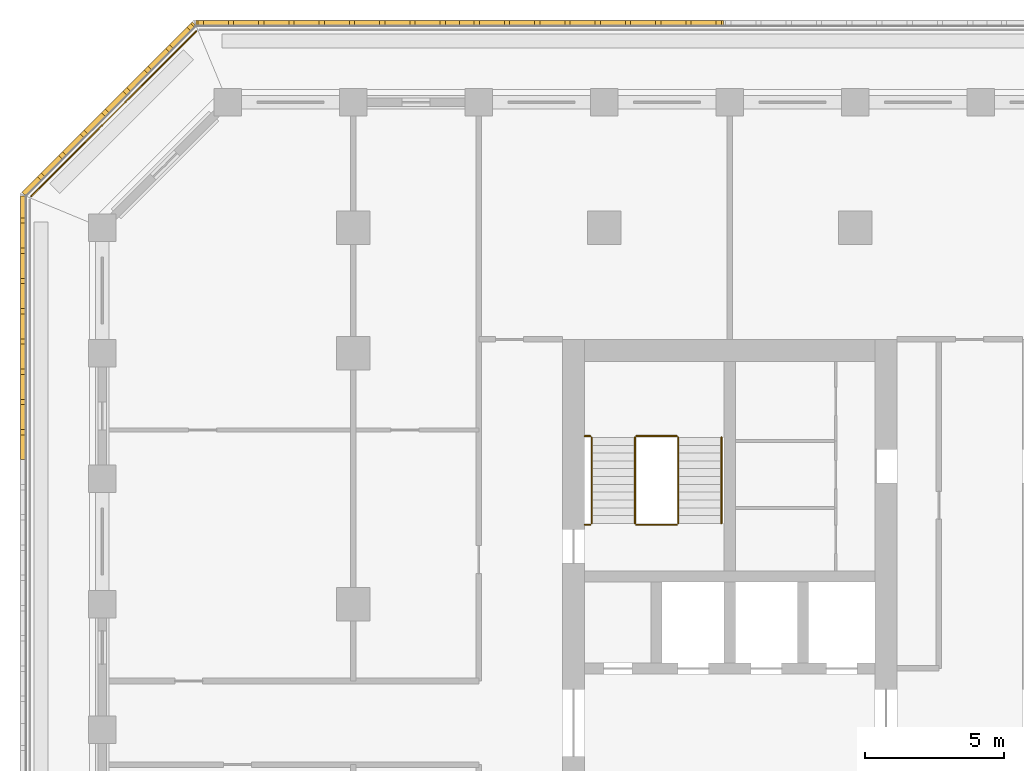
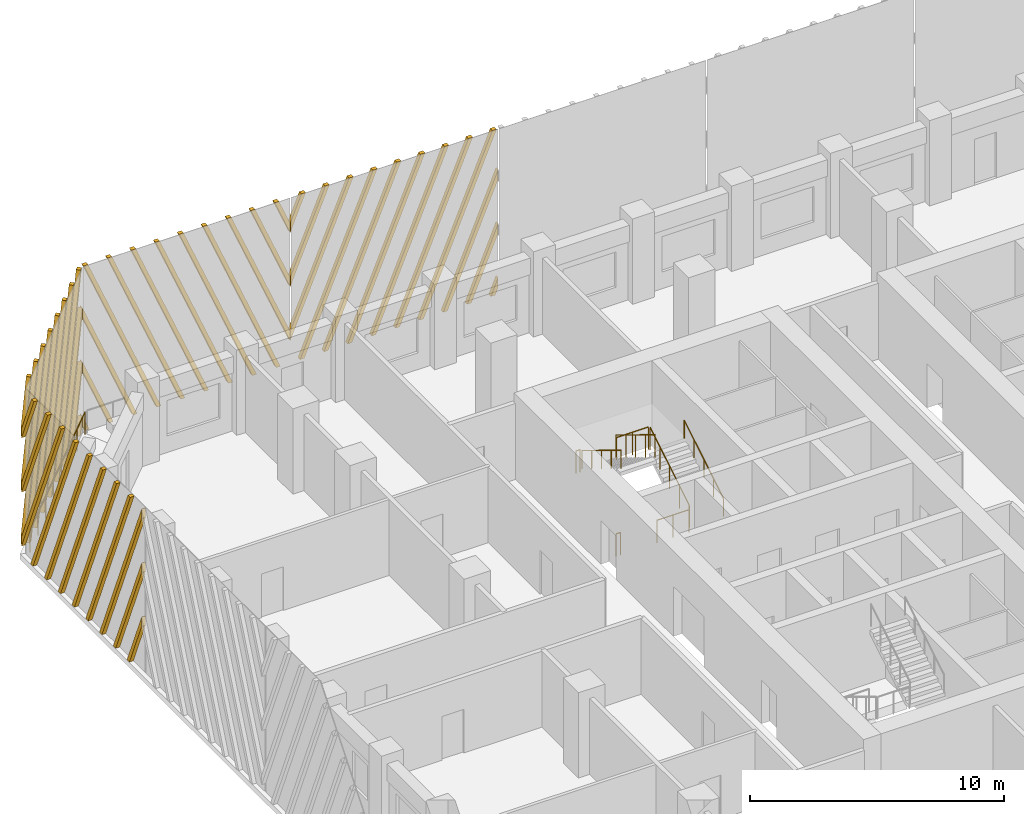
# One storey, part 13 of 16: 9 railings, 4 shading devices.
"""IFC4 building model written with IfcOpenShell, lengths in metres."""

from ifc_helpers import new_model, si_unit, direction, frame, origin, origin_2d, place, context, subcontext, project, spatial, polyline, circle, outline, extrude, source, transform, mapped, material, type_object, element, save


model = new_model("IFC4")

# Units and contexts
model_context = context("Model", 3, precision=1e-05, world=origin(), true_north=direction((0.0, 1.0)))
body_context = subcontext(model_context, "Body", "Model", "MODEL_VIEW")
ifc_project = project(units=[si_unit("LENGTHUNIT", "METRE"), si_unit("AREAUNIT", "SQUARE_METRE"), si_unit("VOLUMEUNIT", "CUBIC_METRE"), si_unit("PLANEANGLEUNIT", "RADIAN"), si_unit("MASSUNIT", "GRAM", prefix="KILO")], contexts=[model_context])

# Site, building, storey
site_placement = place(None, origin())
site = spatial("IfcSite", under=ifc_project, at=site_placement, CompositionType="ELEMENT")
building_placement = place(site_placement, origin())
building = spatial("IfcBuilding", under=site, at=building_placement, Name="Corbel Stack Research Tower", CompositionType="ELEMENT")
storey_placement = place(building_placement, frame((0.0, 0.0, 173.199951171875)))
storey = spatial("IfcBuildingStorey", under=building, at=storey_placement, Name="L39", CompositionType="ELEMENT", Elevation=173.199951171875)

# Railings
ifc_material_1 = material(Name="Steel S355", Category="steel")
railing_type_1 = type_object("IfcRailingType", Name="Stair guard 1100", PredefinedType="GUARDRAIL", material=ifc_material_1)
railing_1_placement = place(storey_placement, frame((-6.35009765625, 11.89990234375, 0.1708984375)))
element("IfcRailing", 1, at=railing_1_placement, inside=storey, type_object=railing_type_1, Name="L39 ST-W2 stair guard 1", PredefinedType="GUARDRAIL", context=body_context, shape_type="SweptSolid", body=[
    extrude(circle(Radius=0.02392578125, at=origin_2d()), frame((0.0, 0.0, 1.076171875), z_axis=(0.0, 0.853666305674, 0.52082035152), x_axis=(-1.0, 0.0, 0.0)), (0.0, 0.0, 1.0), 3.608154296875),
    extrude(circle(Radius=0.02099609375, at=origin_2d()), origin(), (0.0, 0.0, 1.0), 1.052001953125),
    extrude(circle(Radius=0.02099609375, at=origin_2d()), frame((0.0, 0.77001953125, 0.4697265625)), (0.0, 0.0, 1.0), 1.052001953125),
    extrude(circle(Radius=0.02099609375, at=origin_2d()), frame((0.0, 1.5400390625, 0.939453125)), (0.0, 0.0, 1.0), 1.052001953125),
    extrude(circle(Radius=0.02099609375, at=origin_2d()), frame((0.0, 2.31005859375, 1.409423828125)), (0.0, 0.0, 1.0), 1.052001953125),
    extrude(circle(Radius=0.02099609375, at=origin_2d()), frame((0.0, 3.080078125, 1.879150390625)), (0.0, 0.0, 1.0), 1.052001953125),
])
railing_2_placement = place(storey_placement, frame((-6.39990234375, 15.030029296875, 2.050048828125)))
element("IfcRailing", 2, at=railing_2_placement, inside=storey, type_object=railing_type_1, Name="L39 ST-W2 stair guard 2", PredefinedType="GUARDRAIL", context=body_context, shape_type="SweptSolid", body=[
    extrude(circle(Radius=0.02392578125, at=origin_2d()), frame((0.0, 0.0, 1.076171875), z_axis=(-1.0, 0.0, 0.0), x_axis=(0.0, -1.0, 0.0)), (0.0, 0.0, 1.0), 1.4501953125),
    extrude(circle(Radius=0.02099609375, at=origin_2d()), origin(), (0.0, 0.0, 1.0), 1.052001953125),
    extrude(circle(Radius=0.02099609375, at=origin_2d()), frame((-0.72509765625, 0.0, 0.0)), (0.0, 0.0, 1.0), 1.052001953125),
    extrude(circle(Radius=0.02099609375, at=origin_2d()), frame((-1.4501953125, 0.0, 0.0)), (0.0, 0.0, 1.0), 1.052001953125),
])
railing_3_placement = place(storey_placement, frame((-9.5, 15.030029296875, 2.050048828125)))
element("IfcRailing", 3, at=railing_3_placement, inside=storey, type_object=railing_type_1, Name="L39 ST-W2 stair guard 3", PredefinedType="GUARDRAIL", context=body_context, shape_type="SweptSolid", body=[
    extrude(circle(Radius=0.02392578125, at=origin_2d()), frame((0.0, 0.0, 1.076171875), z_axis=(-1.0, 0.0, 0.0), x_axis=(0.0, -1.0, 0.0)), (0.0, 0.0, 1.0), 0.199951171875),
    extrude(circle(Radius=0.02099609375, at=origin_2d()), origin(), (0.0, 0.0, 1.0), 1.052001953125),
    extrude(circle(Radius=0.02099609375, at=origin_2d()), frame((-0.199951171875, 0.0, 0.0)), (0.0, 0.0, 1.0), 1.052001953125),
])
railing_4_placement = place(storey_placement, frame((-7.89990234375, 14.97998046875, 2.220947265625)))
element("IfcRailing", 4, at=railing_4_placement, inside=storey, type_object=railing_type_1, Name="L39 ST-W2 stair guard 4", PredefinedType="GUARDRAIL", context=body_context, shape_type="SweptSolid", body=[
    extrude(circle(Radius=0.02392578125, at=origin_2d()), frame((0.0, 0.0, 1.076171875), z_axis=(0.0, -0.853666305674, 0.52082035152), x_axis=(1.0, 0.0, 0.0)), (0.0, 0.0, 1.0), 3.608154296875),
    extrude(circle(Radius=0.02099609375, at=origin_2d()), origin(), (0.0, 0.0, 1.0), 1.052001953125),
    extrude(circle(Radius=0.02099609375, at=origin_2d()), frame((0.0, -0.77001953125, 0.4697265625)), (0.0, 0.0, 1.0), 1.052001953125),
    extrude(circle(Radius=0.02099609375, at=origin_2d()), frame((0.0, -1.5400390625, 0.939453125)), (0.0, 0.0, 1.0), 1.052001953125),
    extrude(circle(Radius=0.02099609375, at=origin_2d()), frame((0.0, -2.31005859375, 1.409423828125)), (0.0, 0.0, 1.0), 1.052001953125),
    extrude(circle(Radius=0.02099609375, at=origin_2d()), frame((0.0, -3.080078125, 1.879150390625)), (0.0, 0.0, 1.0), 1.052001953125),
])
railing_5_placement = place(storey_placement, frame((-6.39990234375, 11.85009765625, 0.0)))
element("IfcRailing", 5, at=railing_5_placement, inside=storey, type_object=railing_type_1, Name="L39 ST-W2 stair guard 5", PredefinedType="GUARDRAIL", context=body_context, shape_type="SweptSolid", body=[
    extrude(circle(Radius=0.02392578125, at=origin_2d()), frame((0.0, 0.0, 1.076171875), z_axis=(-1.0, 0.0, 0.0), x_axis=(0.0, -1.0, 0.0)), (0.0, 0.0, 1.0), 1.4501953125),
    extrude(circle(Radius=0.02099609375, at=origin_2d()), origin(), (0.0, 0.0, 1.0), 1.052001953125),
    extrude(circle(Radius=0.02099609375, at=origin_2d()), frame((-0.72509765625, 0.0, 0.0)), (0.0, 0.0, 1.0), 1.052001953125),
    extrude(circle(Radius=0.02099609375, at=origin_2d()), frame((-1.4501953125, 0.0, 0.0)), (0.0, 0.0, 1.0), 1.052001953125),
])
railing_6_placement = place(storey_placement, frame((-9.5, 11.85009765625, 0.0)))
element("IfcRailing", 6, at=railing_6_placement, inside=storey, type_object=railing_type_1, Name="L39 ST-W2 stair guard 6", PredefinedType="GUARDRAIL", context=body_context, shape_type="SweptSolid", body=[
    extrude(circle(Radius=0.02392578125, at=origin_2d()), frame((0.0, 0.0, 1.076171875), z_axis=(-1.0, 0.0, 0.0), x_axis=(0.0, -1.0, 0.0)), (0.0, 0.0, 1.0), 0.199951171875),
    extrude(circle(Radius=0.02099609375, at=origin_2d()), origin(), (0.0, 0.0, 1.0), 1.052001953125),
    extrude(circle(Radius=0.02099609375, at=origin_2d()), frame((-0.199951171875, 0.0, 0.0)), (0.0, 0.0, 1.0), 1.052001953125),
])
ifc_material_2 = material(Name="Steel S355", Category="steel")
railing_type_2 = type_object("IfcRailingType", Name="Stair handrail 900", PredefinedType="HANDRAIL", material=ifc_material_2)
railing_7_placement = place(storey_placement, frame((-4.800048828125, 11.89990234375, 0.1708984375)))
element("IfcRailing", 7, at=railing_7_placement, inside=storey, type_object=railing_type_2, Name="L39 ST-W2 stair handrail 1", PredefinedType="HANDRAIL", context=body_context, shape_type="SweptSolid", body=[
    extrude(circle(Radius=0.02392578125, at=origin_2d()), frame((0.0, 0.0, 0.8759765625), z_axis=(0.0, 0.853666305674, 0.52082035152), x_axis=(-1.0, 0.0, 0.0)), (0.0, 0.0, 1.0), 3.608154296875),
    extrude(circle(Radius=0.02099609375, at=origin_2d()), origin(), (0.0, 0.0, 1.0), 0.851806640625),
    extrude(circle(Radius=0.02099609375, at=origin_2d()), frame((0.0, 0.77001953125, 0.4697265625)), (0.0, 0.0, 1.0), 0.851806640625),
    extrude(circle(Radius=0.02099609375, at=origin_2d()), frame((0.0, 1.5400390625, 0.939453125)), (0.0, 0.0, 1.0), 0.851806640625),
    extrude(circle(Radius=0.02099609375, at=origin_2d()), frame((0.0, 2.31005859375, 1.409423828125)), (0.0, 0.0, 1.0), 0.851806640625),
    extrude(circle(Radius=0.02099609375, at=origin_2d()), frame((0.0, 3.080078125, 1.879150390625)), (0.0, 0.0, 1.0), 0.851806640625),
])
railing_8_placement = place(storey_placement, frame((-9.449951171875, 14.97998046875, 2.220947265625)))
element("IfcRailing", 8, at=railing_8_placement, inside=storey, type_object=railing_type_2, Name="L39 ST-W2 stair handrail 2", PredefinedType="HANDRAIL", context=body_context, shape_type="SweptSolid", body=[
    extrude(circle(Radius=0.02392578125, at=origin_2d()), frame((0.0, 0.0, 0.8759765625), z_axis=(0.0, -0.853666305674, 0.52082035152), x_axis=(1.0, 0.0, 0.0)), (0.0, 0.0, 1.0), 3.608154296875),
    extrude(circle(Radius=0.02099609375, at=origin_2d()), origin(), (0.0, 0.0, 1.0), 0.851806640625),
    extrude(circle(Radius=0.02099609375, at=origin_2d()), frame((0.0, -0.77001953125, 0.4697265625)), (0.0, 0.0, 1.0), 0.851806640625),
    extrude(circle(Radius=0.02099609375, at=origin_2d()), frame((0.0, -1.5400390625, 0.939453125)), (0.0, 0.0, 1.0), 0.851806640625),
    extrude(circle(Radius=0.02099609375, at=origin_2d()), frame((0.0, -2.31005859375, 1.409423828125)), (0.0, 0.0, 1.0), 0.851806640625),
    extrude(circle(Radius=0.02099609375, at=origin_2d()), frame((0.0, -3.080078125, 1.879150390625)), (0.0, 0.0, 1.0), 0.851806640625),
])
ifc_material_3 = material(Name="Powder-coated steel guard", Category="steel")
railing_type_3 = type_object("IfcRailingType", Name="Steel and glass guard 1100", PredefinedType="GUARDRAIL", material=ifc_material_3)
railing_9_placement = place(storey_placement, frame((-23.627685546875, 29.54931640625, 0.0)))
element("IfcRailing", 9, at=railing_9_placement, inside=storey, type_object=railing_type_3, Name="Loggia guard L39 NW", PredefinedType="GUARDRAIL", context=body_context, shape_type="SweptSolid", body=[
    extrude(circle(Radius=0.02392578125, at=origin_2d()), frame((0.0, 0.0, 1.076171875), z_axis=(-0.707106781187, -0.707106781187, 0.0), x_axis=(0.707106781187, -0.707106781187, 0.0)), (0.0, 0.0, 1.0), 8.37451171875),
    extrude(circle(Radius=0.02099609375, at=origin_2d()), origin(), (0.0, 0.0, 1.0), 1.052001953125),
    extrude(circle(Radius=0.02099609375, at=origin_2d()), frame((-0.845947265625, -0.845947265625, 0.0)), (0.0, 0.0, 1.0), 1.052001953125),
    extrude(circle(Radius=0.02099609375, at=origin_2d()), frame((-1.69189453125, -1.69189453125, 0.0)), (0.0, 0.0, 1.0), 1.052001953125),
    extrude(circle(Radius=0.02099609375, at=origin_2d()), frame((-2.537841796875, -2.537841796875, 0.0)), (0.0, 0.0, 1.0), 1.052001953125),
    extrude(circle(Radius=0.02099609375, at=origin_2d()), frame((-3.3837890625, -3.3837890625, 0.0)), (0.0, 0.0, 1.0), 1.052001953125),
    extrude(circle(Radius=0.02099609375, at=origin_2d()), frame((-4.229736328125, -4.229736328125, 0.0)), (0.0, 0.0, 1.0), 1.052001953125),
    extrude(circle(Radius=0.02099609375, at=origin_2d()), frame((-5.07568359375, -5.07568359375, 0.0)), (0.0, 0.0, 1.0), 1.052001953125),
    extrude(circle(Radius=0.02099609375, at=origin_2d()), frame((-5.921630859375, -5.921630859375, 0.0)), (0.0, 0.0, 1.0), 1.052001953125),
])

# Shading devices
ifc_material_4 = material(Name="Precast terracotta", Category="masonry")
shading_device_type = type_object("IfcShadingDeviceType", Name="Terracotta screen panel", PredefinedType="USERDEFINED", material=ifc_material_4)
shared_shape_1 = source(origin(), body_context, "Body", "SweptSolid", [
    extrude(outline(polyline([(0.70361328125, 7.949951171875), (0.513427734375, 7.949951171875), (0.0, 6.720458984375), (0.0, 6.265380859375), (0.70361328125, 7.949951171875)])), frame((0.0, 0.0, 0.0), z_axis=(0.0, -1.0, 0.0), x_axis=(1.0, 0.0, 0.0)), (0.0, 0.0, 1.0), 0.179931640625),
    extrude(outline(polyline([(1.7880859375, 7.949951171875), (1.59814453125, 7.949951171875), (0.0, 4.123291015625), (0.0, 3.668212890625), (1.7880859375, 7.949951171875)])), frame((0.0, 0.0, 0.0), z_axis=(0.0, -1.0, 0.0), x_axis=(1.0, 0.0, 0.0)), (0.0, 0.0, 1.0), 0.179931640625),
    extrude(outline(polyline([(2.872802734375, 7.949951171875), (2.682861328125, 7.949951171875), (0.0, 1.526123046875), (0.0, 1.071044921875), (2.872802734375, 7.949951171875)])), frame((0.0, 0.0, 0.0), z_axis=(0.0, -1.0, 0.0), x_axis=(1.0, 0.0, 0.0)), (0.0, 0.0, 1.0), 0.179931640625),
    extrude(outline(polyline([(0.63720703125, 0.0), (3.95751953125, 7.949951171875), (3.767578125, 7.949951171875), (0.447265625, 0.0), (0.63720703125, 0.0)])), frame((0.0, 0.0, 0.0), z_axis=(0.0, -1.0, 0.0), x_axis=(1.0, 0.0, 0.0)), (0.0, 0.0, 1.0), 0.179931640625),
    extrude(outline(polyline([(1.721923828125, 0.0), (5.042236328125, 7.949951171875), (4.852294921875, 7.949951171875), (1.531982421875, 0.0), (1.721923828125, 0.0)])), frame((0.0, 0.0, 0.0), z_axis=(0.0, -1.0, 0.0), x_axis=(1.0, 0.0, 0.0)), (0.0, 0.0, 1.0), 0.179931640625),
    extrude(outline(polyline([(2.806640625, 0.0), (6.126708984375, 7.949951171875), (5.936767578125, 7.949951171875), (2.61669921875, 0.0), (2.806640625, 0.0)])), frame((0.0, 0.0, 0.0), z_axis=(0.0, -1.0, 0.0), x_axis=(1.0, 0.0, 0.0)), (0.0, 0.0, 1.0), 0.179931640625),
    extrude(outline(polyline([(3.891357421875, 0.0), (7.21142578125, 7.949951171875), (7.021484375, 7.949951171875), (3.701416015625, 0.0), (3.891357421875, 0.0)])), frame((0.0, 0.0, 0.0), z_axis=(0.0, -1.0, 0.0), x_axis=(1.0, 0.0, 0.0)), (0.0, 0.0, 1.0), 0.179931640625),
    extrude(outline(polyline([(4.97607421875, 0.0), (8.296142578125, 7.949951171875), (8.106201171875, 7.949951171875), (4.785888671875, 0.0), (4.97607421875, 0.0)])), frame((0.0, 0.0, 0.0), z_axis=(0.0, -1.0, 0.0), x_axis=(1.0, 0.0, 0.0)), (0.0, 0.0, 1.0), 0.179931640625),
    extrude(outline(polyline([(6.060791015625, 0.0), (9.380859375, 7.949951171875), (9.19091796875, 7.949951171875), (5.87060546875, 0.0), (6.060791015625, 0.0)])), frame((0.0, 0.0, 0.0), z_axis=(0.0, -1.0, 0.0), x_axis=(1.0, 0.0, 0.0)), (0.0, 0.0, 1.0), 0.179931640625),
    extrude(outline(polyline([(7.145263671875, 0.0), (9.45556640625, 5.531982421875), (9.45556640625, 5.98681640625), (6.955322265625, 0.0), (7.145263671875, 0.0)])), frame((0.0, 0.0, 0.0), z_axis=(0.0, -1.0, 0.0), x_axis=(1.0, 0.0, 0.0)), (0.0, 0.0, 1.0), 0.179931640625),
    extrude(outline(polyline([(8.22998046875, 0.0), (9.45556640625, 2.934814453125), (9.45556640625, 3.3896484375), (8.0400390625, 0.0), (8.22998046875, 0.0)])), frame((0.0, 0.0, 0.0), z_axis=(0.0, -1.0, 0.0), x_axis=(1.0, 0.0, 0.0)), (0.0, 0.0, 1.0), 0.179931640625),
    extrude(outline(polyline([(9.314697265625, 0.0), (9.45556640625, 0.337646484375), (9.45556640625, 0.79248046875), (9.124755859375, 0.0), (9.314697265625, 0.0)])), frame((0.0, 0.0, 0.0), z_axis=(0.0, -1.0, 0.0), x_axis=(1.0, 0.0, 0.0)), (0.0, 0.0, 1.0), 0.179931640625),
])
shading_device_1_placement = place(storey_placement, frame((-14.18359375, 29.75, 0.0), z_axis=(0.0, 0.0, 1.0), x_axis=(-1.0, 0.0, 0.0)))
element("IfcShadingDevice", 10, at=shading_device_1_placement, inside=storey, type_object=shading_device_type, Name="Terracotta screen L39 N5", ObjectType="SCREEN", PredefinedType="USERDEFINED", context=body_context, shape_type="MappedRepresentation", body=[
    mapped(shared_shape_1, transform((0.0, 0.0, 0.0))),
])
shared_shape_2 = source(origin(), body_context, "Body", "SweptSolid", [
    extrude(outline(polyline([(0.3310546875, 0.0), (0.0, 0.79248046875), (0.0, 0.337646484375), (0.14111328125, 0.0), (0.3310546875, 0.0)])), frame((0.0, 0.0, 0.0), z_axis=(0.0, -1.0, 0.0), x_axis=(1.0, 0.0, 0.0)), (0.0, 0.0, 1.0), 0.179931640625),
    extrude(outline(polyline([(1.41552734375, 0.0), (0.0, 3.3896484375), (0.0, 2.934814453125), (1.2255859375, 0.0), (1.41552734375, 0.0)])), frame((0.0, 0.0, 0.0), z_axis=(0.0, -1.0, 0.0), x_axis=(1.0, 0.0, 0.0)), (0.0, 0.0, 1.0), 0.179931640625),
    extrude(outline(polyline([(2.500244140625, 0.0), (0.0, 5.98681640625), (0.0, 5.531982421875), (2.310302734375, 0.0), (2.500244140625, 0.0)])), frame((0.0, 0.0, 0.0), z_axis=(0.0, -1.0, 0.0), x_axis=(1.0, 0.0, 0.0)), (0.0, 0.0, 1.0), 0.179931640625),
    extrude(outline(polyline([(3.5849609375, 0.0), (0.264892578125, 7.949951171875), (0.07470703125, 7.949951171875), (3.39501953125, 0.0), (3.5849609375, 0.0)])), frame((0.0, 0.0, 0.0), z_axis=(0.0, -1.0, 0.0), x_axis=(1.0, 0.0, 0.0)), (0.0, 0.0, 1.0), 0.179931640625),
    extrude(outline(polyline([(4.669677734375, 0.0), (1.349609375, 7.949951171875), (1.159423828125, 7.949951171875), (4.4794921875, 0.0), (4.669677734375, 0.0)])), frame((0.0, 0.0, 0.0), z_axis=(0.0, -1.0, 0.0), x_axis=(1.0, 0.0, 0.0)), (0.0, 0.0, 1.0), 0.179931640625),
    extrude(outline(polyline([(5.75439453125, 0.0), (2.43408203125, 7.949951171875), (2.244140625, 7.949951171875), (5.564208984375, 0.0), (5.75439453125, 0.0)])), frame((0.0, 0.0, 0.0), z_axis=(0.0, -1.0, 0.0), x_axis=(1.0, 0.0, 0.0)), (0.0, 0.0, 1.0), 0.179931640625),
    extrude(outline(polyline([(6.839111328125, 0.0), (3.518798828125, 7.949951171875), (3.328857421875, 7.949951171875), (6.64892578125, 0.0), (6.839111328125, 0.0)])), frame((0.0, 0.0, 0.0), z_axis=(0.0, -1.0, 0.0), x_axis=(1.0, 0.0, 0.0)), (0.0, 0.0, 1.0), 0.179931640625),
    extrude(outline(polyline([(7.923583984375, 0.0), (4.603515625, 7.949951171875), (4.41357421875, 7.949951171875), (7.733642578125, 0.0), (7.923583984375, 0.0)])), frame((0.0, 0.0, 0.0), z_axis=(0.0, -1.0, 0.0), x_axis=(1.0, 0.0, 0.0)), (0.0, 0.0, 1.0), 0.179931640625),
    extrude(outline(polyline([(9.00830078125, 0.0), (5.68798828125, 7.949951171875), (5.498046875, 7.949951171875), (8.818359375, 0.0), (9.00830078125, 0.0)])), frame((0.0, 0.0, 0.0), z_axis=(0.0, -1.0, 0.0), x_axis=(1.0, 0.0, 0.0)), (0.0, 0.0, 1.0), 0.179931640625),
    extrude(outline(polyline([(6.772705078125, 7.949951171875), (6.582763671875, 7.949951171875), (9.45556640625, 1.071044921875), (9.45556640625, 1.526123046875), (6.772705078125, 7.949951171875)])), frame((0.0, 0.0, 0.0), z_axis=(0.0, -1.0, 0.0), x_axis=(1.0, 0.0, 0.0)), (0.0, 0.0, 1.0), 0.179931640625),
    extrude(outline(polyline([(7.857421875, 7.949951171875), (7.66748046875, 7.949951171875), (9.45556640625, 3.668212890625), (9.45556640625, 4.123291015625), (7.857421875, 7.949951171875)])), frame((0.0, 0.0, 0.0), z_axis=(0.0, -1.0, 0.0), x_axis=(1.0, 0.0, 0.0)), (0.0, 0.0, 1.0), 0.179931640625),
    extrude(outline(polyline([(8.942138671875, 7.949951171875), (8.752197265625, 7.949951171875), (9.45556640625, 6.265380859375), (9.45556640625, 6.720458984375), (8.942138671875, 7.949951171875)])), frame((0.0, 0.0, 0.0), z_axis=(0.0, -1.0, 0.0), x_axis=(1.0, 0.0, 0.0)), (0.0, 0.0, 1.0), 0.179931640625),
])
shading_device_2_placement = place(storey_placement, frame((-4.727783203125, 29.75, 0.0), z_axis=(0.0, 0.0, 1.0), x_axis=(-1.0, 0.0, 0.0)))
element("IfcShadingDevice", 11, at=shading_device_2_placement, inside=storey, type_object=shading_device_type, Name="Terracotta screen L39 N4", ObjectType="SCREEN", PredefinedType="USERDEFINED", context=body_context, shape_type="MappedRepresentation", body=[
    mapped(shared_shape_2, transform((0.0, 0.0, 0.0))),
])
shared_shape_3 = source(origin(), body_context, "Body", "SweptSolid", [
    extrude(outline(polyline([(0.3310546875, 0.0), (0.0, 0.79248046875), (0.0, 0.337646484375), (0.14111328125, 0.0), (0.3310546875, 0.0)])), frame((0.0, 0.0, 0.0), z_axis=(0.0, -1.0, 0.0), x_axis=(1.0, 0.0, 0.0)), (0.0, 0.0, 1.0), 0.179931640625),
    extrude(outline(polyline([(1.41552734375, 0.0), (0.0, 3.3896484375), (0.0, 2.934814453125), (1.2255859375, 0.0), (1.41552734375, 0.0)])), frame((0.0, 0.0, 0.0), z_axis=(0.0, -1.0, 0.0), x_axis=(1.0, 0.0, 0.0)), (0.0, 0.0, 1.0), 0.179931640625),
    extrude(outline(polyline([(2.500244140625, 0.0), (0.0, 5.98681640625), (0.0, 5.531982421875), (2.310302734375, 0.0), (2.500244140625, 0.0)])), frame((0.0, 0.0, 0.0), z_axis=(0.0, -1.0, 0.0), x_axis=(1.0, 0.0, 0.0)), (0.0, 0.0, 1.0), 0.179931640625),
    extrude(outline(polyline([(3.5849609375, 0.0), (0.264892578125, 7.949951171875), (0.07470703125, 7.949951171875), (3.39501953125, 0.0), (3.5849609375, 0.0)])), frame((0.0, 0.0, 0.0), z_axis=(0.0, -1.0, 0.0), x_axis=(1.0, 0.0, 0.0)), (0.0, 0.0, 1.0), 0.179931640625),
    extrude(outline(polyline([(4.669677734375, 0.0), (1.349609375, 7.949951171875), (1.159423828125, 7.949951171875), (4.4794921875, 0.0), (4.669677734375, 0.0)])), frame((0.0, 0.0, 0.0), z_axis=(0.0, -1.0, 0.0), x_axis=(1.0, 0.0, 0.0)), (0.0, 0.0, 1.0), 0.179931640625),
    extrude(outline(polyline([(5.75439453125, 0.0), (2.43408203125, 7.949951171875), (2.244140625, 7.949951171875), (5.564208984375, 0.0), (5.75439453125, 0.0)])), frame((0.0, 0.0, 0.0), z_axis=(0.0, -1.0, 0.0), x_axis=(1.0, 0.0, 0.0)), (0.0, 0.0, 1.0), 0.179931640625),
    extrude(outline(polyline([(6.839111328125, 0.0), (3.518798828125, 7.949951171875), (3.328857421875, 7.949951171875), (6.64892578125, 0.0), (6.839111328125, 0.0)])), frame((0.0, 0.0, 0.0), z_axis=(0.0, -1.0, 0.0), x_axis=(1.0, 0.0, 0.0)), (0.0, 0.0, 1.0), 0.179931640625),
    extrude(outline(polyline([(7.923583984375, 0.0), (4.603515625, 7.949951171875), (4.41357421875, 7.949951171875), (7.733642578125, 0.0), (7.923583984375, 0.0)])), frame((0.0, 0.0, 0.0), z_axis=(0.0, -1.0, 0.0), x_axis=(1.0, 0.0, 0.0)), (0.0, 0.0, 1.0), 0.179931640625),
    extrude(outline(polyline([(5.68798828125, 7.949951171875), (5.498046875, 7.949951171875), (8.64208984375, 0.421875), (8.64208984375, 0.876708984375), (5.68798828125, 7.949951171875)])), frame((0.0, 0.0, 0.0), z_axis=(0.0, -1.0, 0.0), x_axis=(1.0, 0.0, 0.0)), (0.0, 0.0, 1.0), 0.179931640625),
    extrude(outline(polyline([(6.772705078125, 7.949951171875), (6.582763671875, 7.949951171875), (8.64208984375, 3.01904296875), (8.64208984375, 3.473876953125), (6.772705078125, 7.949951171875)])), frame((0.0, 0.0, 0.0), z_axis=(0.0, -1.0, 0.0), x_axis=(1.0, 0.0, 0.0)), (0.0, 0.0, 1.0), 0.179931640625),
    extrude(outline(polyline([(7.857421875, 7.949951171875), (7.66748046875, 7.949951171875), (8.64208984375, 5.6162109375), (8.64208984375, 6.071044921875), (7.857421875, 7.949951171875)])), frame((0.0, 0.0, 0.0), z_axis=(0.0, -1.0, 0.0), x_axis=(1.0, 0.0, 0.0)), (0.0, 0.0, 1.0), 0.179931640625),
])
shading_device_3_placement = place(storey_placement, frame((-23.63916015625, 29.75, 0.0), z_axis=(0.0, 0.0, 1.0), x_axis=(-0.707106781187, -0.707106781187, 0.0)))
element("IfcShadingDevice", 12, at=shading_device_3_placement, inside=storey, type_object=shading_device_type, Name="Terracotta screen L39 NW1", ObjectType="SCREEN", PredefinedType="USERDEFINED", context=body_context, shape_type="MappedRepresentation", body=[
    mapped(shared_shape_3, transform((0.0, 0.0, 0.0))),
])
shared_shape_4 = source(origin(), body_context, "Body", "SweptSolid", [
    extrude(outline(polyline([(0.974609375, 7.949951171875), (0.78466796875, 7.949951171875), (0.0, 6.071044921875), (0.0, 5.6162109375), (0.974609375, 7.949951171875)])), frame((0.0, 0.0, 0.0), z_axis=(0.0, -1.0, 0.0), x_axis=(1.0, 0.0, 0.0)), (0.0, 0.0, 1.0), 0.179931640625),
    extrude(outline(polyline([(2.059326171875, 7.949951171875), (1.869384765625, 7.949951171875), (0.0, 3.473876953125), (0.0, 3.01904296875), (2.059326171875, 7.949951171875)])), frame((0.0, 0.0, 0.0), z_axis=(0.0, -1.0, 0.0), x_axis=(1.0, 0.0, 0.0)), (0.0, 0.0, 1.0), 0.179931640625),
    extrude(outline(polyline([(3.14404296875, 7.949951171875), (2.9541015625, 7.949951171875), (0.0, 0.876708984375), (0.0, 0.421875), (3.14404296875, 7.949951171875)])), frame((0.0, 0.0, 0.0), z_axis=(0.0, -1.0, 0.0), x_axis=(1.0, 0.0, 0.0)), (0.0, 0.0, 1.0), 0.179931640625),
    extrude(outline(polyline([(0.908447265625, 0.0), (4.228759765625, 7.949951171875), (4.038818359375, 7.949951171875), (0.718505859375, 0.0), (0.908447265625, 0.0)])), frame((0.0, 0.0, 0.0), z_axis=(0.0, -1.0, 0.0), x_axis=(1.0, 0.0, 0.0)), (0.0, 0.0, 1.0), 0.179931640625),
    extrude(outline(polyline([(1.9931640625, 0.0), (5.313232421875, 7.949951171875), (5.123291015625, 7.949951171875), (1.80322265625, 0.0), (1.9931640625, 0.0)])), frame((0.0, 0.0, 0.0), z_axis=(0.0, -1.0, 0.0), x_axis=(1.0, 0.0, 0.0)), (0.0, 0.0, 1.0), 0.179931640625),
    extrude(outline(polyline([(3.077880859375, 0.0), (6.39794921875, 7.949951171875), (6.2080078125, 7.949951171875), (2.8876953125, 0.0), (3.077880859375, 0.0)])), frame((0.0, 0.0, 0.0), z_axis=(0.0, -1.0, 0.0), x_axis=(1.0, 0.0, 0.0)), (0.0, 0.0, 1.0), 0.179931640625),
    extrude(outline(polyline([(4.16259765625, 0.0), (7.482666015625, 7.949951171875), (7.292724609375, 7.949951171875), (3.972412109375, 0.0), (4.16259765625, 0.0)])), frame((0.0, 0.0, 0.0), z_axis=(0.0, -1.0, 0.0), x_axis=(1.0, 0.0, 0.0)), (0.0, 0.0, 1.0), 0.179931640625),
    extrude(outline(polyline([(5.247314453125, 0.0), (8.5673828125, 7.949951171875), (8.377197265625, 7.949951171875), (5.05712890625, 0.0), (5.247314453125, 0.0)])), frame((0.0, 0.0, 0.0), z_axis=(0.0, -1.0, 0.0), x_axis=(1.0, 0.0, 0.0)), (0.0, 0.0, 1.0), 0.179931640625),
    extrude(outline(polyline([(6.331787109375, 0.0), (9.45556640625, 7.479736328125), (9.45556640625, 7.934814453125), (6.141845703125, 0.0), (6.331787109375, 0.0)])), frame((0.0, 0.0, 0.0), z_axis=(0.0, -1.0, 0.0), x_axis=(1.0, 0.0, 0.0)), (0.0, 0.0, 1.0), 0.179931640625),
    extrude(outline(polyline([(7.41650390625, 0.0), (9.45556640625, 4.882568359375), (9.45556640625, 5.337646484375), (7.2265625, 0.0), (7.41650390625, 0.0)])), frame((0.0, 0.0, 0.0), z_axis=(0.0, -1.0, 0.0), x_axis=(1.0, 0.0, 0.0)), (0.0, 0.0, 1.0), 0.179931640625),
    extrude(outline(polyline([(8.501220703125, 0.0), (9.45556640625, 2.285400390625), (9.45556640625, 2.740478515625), (8.311279296875, 0.0), (8.501220703125, 0.0)])), frame((0.0, 0.0, 0.0), z_axis=(0.0, -1.0, 0.0), x_axis=(1.0, 0.0, 0.0)), (0.0, 0.0, 1.0), 0.179931640625),
])
shading_device_4_placement = place(storey_placement, frame((-29.75, 23.63916015625, 0.0), z_axis=(0.0, 0.0, 1.0), x_axis=(0.0, -1.0, 0.0)))
element("IfcShadingDevice", 13, at=shading_device_4_placement, inside=storey, type_object=shading_device_type, Name="Terracotta screen L39 W1", ObjectType="SCREEN", PredefinedType="USERDEFINED", context=body_context, shape_type="MappedRepresentation", body=[
    mapped(shared_shape_4, transform((0.0, 0.0, 0.0))),
])

save(model, "model.ifc")
